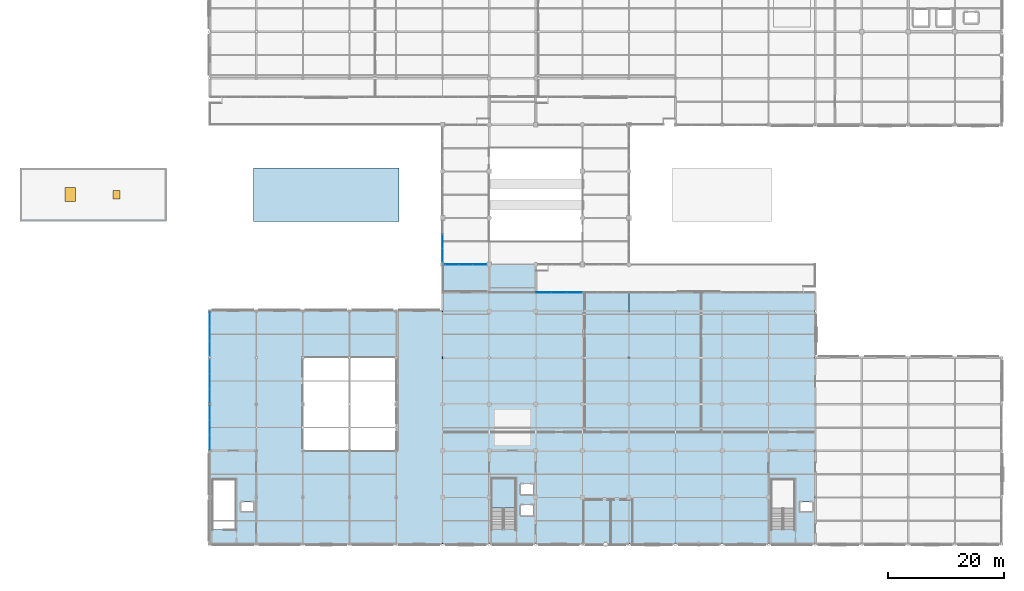
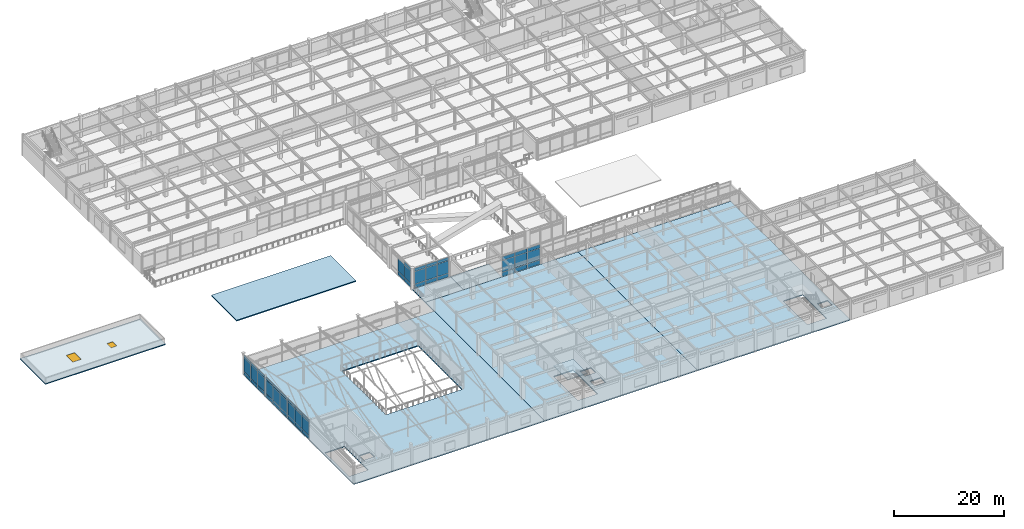
# One storey, part 83 of 117: 50 plates, 8 slabs, 2 windows, 2 openings, 7 elements without a shape of their own.
"""IFC4 building model written with IfcOpenShell, lengths in metres."""

from ifc_helpers import new_model, si_unit, direction, frame, origin, origin_2d, place, context, subcontext, project, spatial, polyline, rectangle, outline, extrude, material, layer, layer_set, type_object, element, fill, aggregate, save


model = new_model("IFC4")

# Units and contexts
model_context = context("Model", 3, precision=1e-05, world=origin(), true_north=direction((0.0, 1.0)))
body_context = subcontext(model_context, "Body", "Model", "MODEL_VIEW")
ifc_project = project(units=[si_unit("LENGTHUNIT", "METRE"), si_unit("AREAUNIT", "SQUARE_METRE"), si_unit("VOLUMEUNIT", "CUBIC_METRE"), si_unit("PLANEANGLEUNIT", "RADIAN"), si_unit("MASSUNIT", "GRAM", prefix="KILO")], contexts=[model_context])

# Site, building, storey
site_placement = place(None, origin())
site = spatial("IfcSite", under=ifc_project, at=site_placement, CompositionType="ELEMENT")
building_placement = place(site_placement, origin())
building = spatial("IfcBuilding", under=site, at=building_placement, Name="Solmirada Galleria", CompositionType="ELEMENT")
storey_placement = place(building_placement, frame((0.0, 0.0, 5.60009765625)))
storey = spatial("IfcBuildingStorey", under=building, at=storey_placement, Name="L01", CompositionType="ELEMENT", Elevation=5.60009765625)

# Curtain wall, plates
ifc_material_1 = material(Name="Impact-resistant low-E double glazing", Category="glass")
curtain_wall_type_1 = type_object("IfcCurtainWallType", Name="CW-FZ3-L01-B3-L072", PredefinedType="NOTDEFINED", material=ifc_material_1)
curtain_wall_1_placement = place(storey_placement, origin())
curtain_wall_1 = element("IfcCurtainWall", 1, at=curtain_wall_1_placement, inside=storey, type_object=curtain_wall_type_1, Name="Terrace and arcade storefront CW-L01-043", PredefinedType="NOTDEFINED")
ifc_layer_1 = layer(ifc_material_1, 0.035888671875)
ifc_layer_set_1 = layer_set([ifc_layer_1], Name="Impact-resistant low-E double glazing")
plate_type_1 = type_object("IfcPlateType", Name="CW-PNL-CW12-T36", PredefinedType="CURTAIN_PANEL", material=ifc_layer_set_1)
plate_1_placement = place(storey_placement, frame((86.38232421875, 48.0, 0.06494140625), z_axis=(0.0, 0.0, 1.0), x_axis=(-1.0, 0.0, 0.0)))
plate_1 = element("IfcPlate", 2, at=plate_1_placement, type_object=plate_type_1, Name="CW12 panel 1.1", PredefinedType="CURTAIN_PANEL", context=body_context, shape_type="SweptSolid", body=[
    extrude(rectangle(XDim=2.30126953125, YDim=0.035888671875, at=origin_2d()), origin(), (0.0, 0.0, 1.0), 0.802490234375),
])
plate_2_placement = place(storey_placement, frame((86.38232421875, 48.0, 0.9326171875), z_axis=(0.0, 0.0, 1.0), x_axis=(-1.0, 0.0, 0.0)))
plate_2 = element("IfcPlate", 3, at=plate_2_placement, type_object=plate_type_1, Name="CW12 panel 1.2", PredefinedType="CURTAIN_PANEL", context=body_context, shape_type="SweptSolid", body=[
    extrude(rectangle(XDim=2.30126953125, YDim=0.035888671875, at=origin_2d()), origin(), (0.0, 0.0, 1.0), 2.764892578125),
])
plate_3_placement = place(storey_placement, frame((86.38232421875, 48.0, 3.762451171875), z_axis=(0.0, 0.0, 1.0), x_axis=(-1.0, 0.0, 0.0)))
plate_3 = element("IfcPlate", 4, at=plate_3_placement, type_object=plate_type_1, Name="CW12 panel 1.3", PredefinedType="CURTAIN_PANEL", context=body_context, shape_type="SweptSolid", body=[
    extrude(rectangle(XDim=2.30126953125, YDim=0.035888671875, at=origin_2d()), origin(), (0.0, 0.0, 1.0), 0.6923828125),
])
plate_4_placement = place(storey_placement, frame((84.0, 48.0, 0.06494140625), z_axis=(0.0, 0.0, 1.0), x_axis=(-1.0, 0.0, 0.0)))
plate_4 = element("IfcPlate", 5, at=plate_4_placement, type_object=plate_type_1, Name="CW12 panel 2.1", PredefinedType="CURTAIN_PANEL", context=body_context, shape_type="SweptSolid", body=[
    extrude(rectangle(XDim=2.333740234375, YDim=0.035888671875, at=origin_2d()), origin(), (0.0, 0.0, 1.0), 0.802490234375),
])
plate_5_placement = place(storey_placement, frame((84.0, 48.0, 0.9326171875), z_axis=(0.0, 0.0, 1.0), x_axis=(-1.0, 0.0, 0.0)))
plate_5 = element("IfcPlate", 6, at=plate_5_placement, type_object=plate_type_1, Name="CW12 panel 2.2", PredefinedType="CURTAIN_PANEL", context=body_context, shape_type="SweptSolid", body=[
    extrude(rectangle(XDim=2.333740234375, YDim=0.035888671875, at=origin_2d()), origin(), (0.0, 0.0, 1.0), 2.764892578125),
])
plate_6_placement = place(storey_placement, frame((84.0, 48.0, 3.762451171875), z_axis=(0.0, 0.0, 1.0), x_axis=(-1.0, 0.0, 0.0)))
plate_6 = element("IfcPlate", 7, at=plate_6_placement, type_object=plate_type_1, Name="CW12 panel 2.3", PredefinedType="CURTAIN_PANEL", context=body_context, shape_type="SweptSolid", body=[
    extrude(rectangle(XDim=2.333740234375, YDim=0.035888671875, at=origin_2d()), origin(), (0.0, 0.0, 1.0), 0.6923828125),
])
plate_7_placement = place(storey_placement, frame((81.61767578125, 48.0, 0.06494140625), z_axis=(0.0, 0.0, 1.0), x_axis=(-1.0, 0.0, 0.0)))
plate_7 = element("IfcPlate", 8, at=plate_7_placement, type_object=plate_type_1, Name="CW12 panel 3.1", PredefinedType="CURTAIN_PANEL", context=body_context, shape_type="SweptSolid", body=[
    extrude(rectangle(XDim=2.30126953125, YDim=0.035888671875, at=origin_2d()), origin(), (0.0, 0.0, 1.0), 0.802490234375),
])
plate_8_placement = place(storey_placement, frame((81.61767578125, 48.0, 0.9326171875), z_axis=(0.0, 0.0, 1.0), x_axis=(-1.0, 0.0, 0.0)))
plate_8 = element("IfcPlate", 9, at=plate_8_placement, type_object=plate_type_1, Name="CW12 panel 3.2", PredefinedType="CURTAIN_PANEL", context=body_context, shape_type="SweptSolid", body=[
    extrude(rectangle(XDim=2.30126953125, YDim=0.035888671875, at=origin_2d()), origin(), (0.0, 0.0, 1.0), 2.764892578125),
])
plate_9_placement = place(storey_placement, frame((81.61767578125, 48.0, 3.762451171875), z_axis=(0.0, 0.0, 1.0), x_axis=(-1.0, 0.0, 0.0)))
plate_9 = element("IfcPlate", 10, at=plate_9_placement, type_object=plate_type_1, Name="CW12 panel 3.3", PredefinedType="CURTAIN_PANEL", context=body_context, shape_type="SweptSolid", body=[
    extrude(rectangle(XDim=2.30126953125, YDim=0.035888671875, at=origin_2d()), origin(), (0.0, 0.0, 1.0), 0.6923828125),
])
aggregate(curtain_wall_1, [plate_1, plate_2, plate_3, plate_4, plate_5, plate_6, plate_7, plate_8, plate_9])

curtain_wall_2_placement = place(storey_placement, origin())
curtain_wall_2 = element("IfcCurtainWall", 11, at=curtain_wall_2_placement, inside=storey, type_object=curtain_wall_type_1, Name="Terrace and arcade storefront CW-L01-044", PredefinedType="NOTDEFINED")
plate_10_placement = place(storey_placement, frame((80.0, 49.61767578125, 0.06494140625), z_axis=(0.0, 0.0, 1.0), x_axis=(0.0, 1.0, 0.0)))
plate_10 = element("IfcPlate", 12, at=plate_10_placement, type_object=plate_type_1, Name="CW12 panel 1.1", PredefinedType="CURTAIN_PANEL", context=body_context, shape_type="SweptSolid", body=[
    extrude(rectangle(XDim=2.30126953125, YDim=0.035888671875, at=origin_2d()), origin(), (0.0, 0.0, 1.0), 0.802490234375),
])
plate_11_placement = place(storey_placement, frame((80.0, 49.61767578125, 0.9326171875), z_axis=(0.0, 0.0, 1.0), x_axis=(0.0, 1.0, 0.0)))
plate_11 = element("IfcPlate", 13, at=plate_11_placement, type_object=plate_type_1, Name="CW12 panel 1.2", PredefinedType="CURTAIN_PANEL", context=body_context, shape_type="SweptSolid", body=[
    extrude(rectangle(XDim=2.30126953125, YDim=0.035888671875, at=origin_2d()), origin(), (0.0, 0.0, 1.0), 2.764892578125),
])
plate_12_placement = place(storey_placement, frame((80.0, 49.61767578125, 3.762451171875), z_axis=(0.0, 0.0, 1.0), x_axis=(0.0, 1.0, 0.0)))
plate_12 = element("IfcPlate", 14, at=plate_12_placement, type_object=plate_type_1, Name="CW12 panel 1.3", PredefinedType="CURTAIN_PANEL", context=body_context, shape_type="SweptSolid", body=[
    extrude(rectangle(XDim=2.30126953125, YDim=0.035888671875, at=origin_2d()), origin(), (0.0, 0.0, 1.0), 0.6923828125),
])
plate_13_placement = place(storey_placement, frame((80.0, 52.0, 0.06494140625), z_axis=(0.0, 0.0, 1.0), x_axis=(0.0, 1.0, 0.0)))
plate_13 = element("IfcPlate", 15, at=plate_13_placement, type_object=plate_type_1, Name="CW12 panel 2.1", PredefinedType="CURTAIN_PANEL", context=body_context, shape_type="SweptSolid", body=[
    extrude(rectangle(XDim=2.333740234375, YDim=0.035888671875, at=origin_2d()), origin(), (0.0, 0.0, 1.0), 0.802490234375),
])
plate_14_placement = place(storey_placement, frame((80.0, 52.0, 0.9326171875), z_axis=(0.0, 0.0, 1.0), x_axis=(0.0, 1.0, 0.0)))
plate_14 = element("IfcPlate", 16, at=plate_14_placement, type_object=plate_type_1, Name="CW12 panel 2.2", PredefinedType="CURTAIN_PANEL", context=body_context, shape_type="SweptSolid", body=[
    extrude(rectangle(XDim=2.333740234375, YDim=0.035888671875, at=origin_2d()), origin(), (0.0, 0.0, 1.0), 2.764892578125),
])
aggregate(curtain_wall_2, [plate_10, plate_11, plate_12, plate_13, plate_14])

curtain_wall_type_2 = type_object("IfcCurtainWallType", Name="CW-FZ5-L01-B3-L080", PredefinedType="NOTDEFINED", material=ifc_material_1)
curtain_wall_3_placement = place(storey_placement, origin())
curtain_wall_3 = element("IfcCurtainWall", 17, at=curtain_wall_3_placement, inside=storey, type_object=curtain_wall_type_2, Name="Terrace and arcade storefront CW-L01-073", PredefinedType="NOTDEFINED")
ifc_layer_2 = layer(ifc_material_1, 0.031982421875)
ifc_layer_set_2 = layer_set([ifc_layer_2], Name="Impact-resistant low-E double glazing")
plate_type_2 = type_object("IfcPlateType", Name="CW-PNL-CW17-T32", PredefinedType="CURTAIN_PANEL", material=ifc_layer_set_2)
plate_15_placement = place(storey_placement, frame((97.349609375, 43.199951171875, 0.06494140625), z_axis=(0.0, 0.0, 1.0), x_axis=(1.0, 0.0, 0.0)))
plate_15 = element("IfcPlate", 18, at=plate_15_placement, type_object=plate_type_2, Name="CW17 panel 1.1", PredefinedType="CURTAIN_PANEL", context=body_context, shape_type="SweptSolid", body=[
    extrude(rectangle(XDim=2.569091796875, YDim=0.031982421875, at=origin_2d()), origin(), (0.0, 0.0, 1.0), 0.922607421875),
])
plate_16_placement = place(storey_placement, frame((97.349609375, 43.199951171875, 1.052490234375), z_axis=(0.0, 0.0, 1.0), x_axis=(1.0, 0.0, 0.0)))
plate_16 = element("IfcPlate", 19, at=plate_16_placement, type_object=plate_type_2, Name="CW17 panel 1.2", PredefinedType="CURTAIN_PANEL", context=body_context, shape_type="SweptSolid", body=[
    extrude(rectangle(XDim=2.569091796875, YDim=0.031982421875, at=origin_2d()), origin(), (0.0, 0.0, 1.0), 2.544921875),
])
plate_17_placement = place(storey_placement, frame((97.349609375, 43.199951171875, 3.662353515625), z_axis=(0.0, 0.0, 1.0), x_axis=(1.0, 0.0, 0.0)))
plate_17 = element("IfcPlate", 20, at=plate_17_placement, type_object=plate_type_2, Name="CW17 panel 1.3", PredefinedType="CURTAIN_PANEL", context=body_context, shape_type="SweptSolid", body=[
    extrude(rectangle(XDim=2.569091796875, YDim=0.031982421875, at=origin_2d()), origin(), (0.0, 0.0, 1.0), 0.79248046875),
])
plate_18_placement = place(storey_placement, frame((100.0, 43.199951171875, 0.06494140625), z_axis=(0.0, 0.0, 1.0), x_axis=(1.0, 0.0, 0.0)))
plate_18 = element("IfcPlate", 21, at=plate_18_placement, type_object=plate_type_2, Name="CW17 panel 2.1", PredefinedType="CURTAIN_PANEL", context=body_context, shape_type="SweptSolid", body=[
    extrude(rectangle(XDim=2.6015625, YDim=0.031982421875, at=origin_2d()), origin(), (0.0, 0.0, 1.0), 0.922607421875),
])
plate_19_placement = place(storey_placement, frame((100.0, 43.199951171875, 1.052490234375), z_axis=(0.0, 0.0, 1.0), x_axis=(1.0, 0.0, 0.0)))
plate_19 = element("IfcPlate", 22, at=plate_19_placement, type_object=plate_type_2, Name="CW17 panel 2.2", PredefinedType="CURTAIN_PANEL", context=body_context, shape_type="SweptSolid", body=[
    extrude(rectangle(XDim=2.6015625, YDim=0.031982421875, at=origin_2d()), origin(), (0.0, 0.0, 1.0), 2.544921875),
])
plate_20_placement = place(storey_placement, frame((100.0, 43.199951171875, 3.662353515625), z_axis=(0.0, 0.0, 1.0), x_axis=(1.0, 0.0, 0.0)))
plate_20 = element("IfcPlate", 23, at=plate_20_placement, type_object=plate_type_2, Name="CW17 panel 2.3", PredefinedType="CURTAIN_PANEL", context=body_context, shape_type="SweptSolid", body=[
    extrude(rectangle(XDim=2.6015625, YDim=0.031982421875, at=origin_2d()), origin(), (0.0, 0.0, 1.0), 0.79248046875),
])
plate_21_placement = place(storey_placement, frame((102.650390625, 43.199951171875, 0.06494140625), z_axis=(0.0, 0.0, 1.0), x_axis=(1.0, 0.0, 0.0)))
plate_21 = element("IfcPlate", 24, at=plate_21_placement, type_object=plate_type_2, Name="CW17 panel 3.1", PredefinedType="CURTAIN_PANEL", context=body_context, shape_type="SweptSolid", body=[
    extrude(rectangle(XDim=2.569091796875, YDim=0.031982421875, at=origin_2d()), origin(), (0.0, 0.0, 1.0), 0.922607421875),
])
plate_22_placement = place(storey_placement, frame((102.650390625, 43.199951171875, 1.052490234375), z_axis=(0.0, 0.0, 1.0), x_axis=(1.0, 0.0, 0.0)))
plate_22 = element("IfcPlate", 25, at=plate_22_placement, type_object=plate_type_2, Name="CW17 panel 3.2", PredefinedType="CURTAIN_PANEL", context=body_context, shape_type="SweptSolid", body=[
    extrude(rectangle(XDim=2.569091796875, YDim=0.031982421875, at=origin_2d()), origin(), (0.0, 0.0, 1.0), 2.544921875),
])
plate_23_placement = place(storey_placement, frame((102.650390625, 43.199951171875, 3.662353515625), z_axis=(0.0, 0.0, 1.0), x_axis=(1.0, 0.0, 0.0)))
plate_23 = element("IfcPlate", 26, at=plate_23_placement, type_object=plate_type_2, Name="CW17 panel 3.3", PredefinedType="CURTAIN_PANEL", context=body_context, shape_type="SweptSolid", body=[
    extrude(rectangle(XDim=2.569091796875, YDim=0.031982421875, at=origin_2d()), origin(), (0.0, 0.0, 1.0), 0.79248046875),
])
aggregate(curtain_wall_3, [plate_15, plate_16, plate_17, plate_18, plate_19, plate_20, plate_21, plate_22, plate_23])

curtain_wall_type_3 = type_object("IfcCurtainWallType", Name="CW-FZ1-L01-B3-L077", PredefinedType="NOTDEFINED", material=ifc_material_1)
curtain_wall_4_placement = place(storey_placement, origin())
curtain_wall_4 = element("IfcCurtainWall", 27, at=curtain_wall_4_placement, inside=storey, type_object=curtain_wall_type_3, Name="Terrace and arcade storefront CW-L01-080", PredefinedType="NOTDEFINED")
ifc_layer_3 = layer(ifc_material_1, 0.0419921875)
ifc_layer_set_3 = layer_set([ifc_layer_3], Name="Impact-resistant low-E double glazing")
plate_type_3 = type_object("IfcPlateType", Name="CW-PNL-CW19-T42", PredefinedType="CURTAIN_PANEL", material=ifc_layer_set_3)
plate_24_placement = place(storey_placement, frame((40.0, 17.45263671875, 0.06494140625), z_axis=(0.0, 0.0, 1.0), x_axis=(0.0, 1.0, 0.0)))
plate_24 = element("IfcPlate", 28, at=plate_24_placement, type_object=plate_type_3, Name="CW19 panel 1.1", PredefinedType="CURTAIN_PANEL", context=body_context, shape_type="SweptSolid", body=[
    extrude(rectangle(XDim=2.466064453125, YDim=0.0419921875, at=origin_2d()), origin(), (0.0, 0.0, 1.0), 0.6826171875),
])
plate_25_placement = place(storey_placement, frame((40.0, 17.45263671875, 0.8125), z_axis=(0.0, 0.0, 1.0), x_axis=(0.0, 1.0, 0.0)))
plate_25 = element("IfcPlate", 29, at=plate_25_placement, type_object=plate_type_3, Name="CW19 panel 1.2", PredefinedType="CURTAIN_PANEL", context=body_context, shape_type="SweptSolid", body=[
    extrude(rectangle(XDim=2.466064453125, YDim=0.0419921875, at=origin_2d()), origin(), (0.0, 0.0, 1.0), 2.985107421875),
])
plate_26_placement = place(storey_placement, frame((40.0, 17.45263671875, 3.8623046875), z_axis=(0.0, 0.0, 1.0), x_axis=(0.0, 1.0, 0.0)))
plate_26 = element("IfcPlate", 30, at=plate_26_placement, type_object=plate_type_3, Name="CW19 panel 1.3", PredefinedType="CURTAIN_PANEL", context=body_context, shape_type="SweptSolid", body=[
    extrude(rectangle(XDim=2.466064453125, YDim=0.0419921875, at=origin_2d()), origin(), (0.0, 0.0, 1.0), 0.592529296875),
])
plate_27_placement = place(storey_placement, frame((40.0, 20.0, 0.06494140625), z_axis=(0.0, 0.0, 1.0), x_axis=(0.0, 1.0, 0.0)))
plate_27 = element("IfcPlate", 31, at=plate_27_placement, type_object=plate_type_3, Name="CW19 panel 2.1", PredefinedType="CURTAIN_PANEL", context=body_context, shape_type="SweptSolid", body=[
    extrude(rectangle(XDim=2.498779296875, YDim=0.0419921875, at=origin_2d()), origin(), (0.0, 0.0, 1.0), 0.6826171875),
])
plate_28_placement = place(storey_placement, frame((40.0, 20.0, 0.8125), z_axis=(0.0, 0.0, 1.0), x_axis=(0.0, 1.0, 0.0)))
plate_28 = element("IfcPlate", 32, at=plate_28_placement, type_object=plate_type_3, Name="CW19 panel 2.2", PredefinedType="CURTAIN_PANEL", context=body_context, shape_type="SweptSolid", body=[
    extrude(rectangle(XDim=2.498779296875, YDim=0.0419921875, at=origin_2d()), origin(), (0.0, 0.0, 1.0), 2.985107421875),
])
plate_29_placement = place(storey_placement, frame((40.0, 20.0, 3.8623046875), z_axis=(0.0, 0.0, 1.0), x_axis=(0.0, 1.0, 0.0)))
plate_29 = element("IfcPlate", 33, at=plate_29_placement, type_object=plate_type_3, Name="CW19 panel 2.3", PredefinedType="CURTAIN_PANEL", context=body_context, shape_type="SweptSolid", body=[
    extrude(rectangle(XDim=2.498779296875, YDim=0.0419921875, at=origin_2d()), origin(), (0.0, 0.0, 1.0), 0.592529296875),
])
plate_30_placement = place(storey_placement, frame((40.0, 22.54736328125, 0.06494140625), z_axis=(0.0, 0.0, 1.0), x_axis=(0.0, 1.0, 0.0)))
plate_30 = element("IfcPlate", 34, at=plate_30_placement, type_object=plate_type_3, Name="CW19 panel 3.1", PredefinedType="CURTAIN_PANEL", context=body_context, shape_type="SweptSolid", body=[
    extrude(rectangle(XDim=2.466064453125, YDim=0.0419921875, at=origin_2d()), origin(), (0.0, 0.0, 1.0), 0.6826171875),
])
plate_31_placement = place(storey_placement, frame((40.0, 22.54736328125, 0.8125), z_axis=(0.0, 0.0, 1.0), x_axis=(0.0, 1.0, 0.0)))
plate_31 = element("IfcPlate", 35, at=plate_31_placement, type_object=plate_type_3, Name="CW19 panel 3.2", PredefinedType="CURTAIN_PANEL", context=body_context, shape_type="SweptSolid", body=[
    extrude(rectangle(XDim=2.466064453125, YDim=0.0419921875, at=origin_2d()), origin(), (0.0, 0.0, 1.0), 2.985107421875),
])
plate_32_placement = place(storey_placement, frame((40.0, 22.54736328125, 3.8623046875), z_axis=(0.0, 0.0, 1.0), x_axis=(0.0, 1.0, 0.0)))
plate_32 = element("IfcPlate", 36, at=plate_32_placement, type_object=plate_type_3, Name="CW19 panel 3.3", PredefinedType="CURTAIN_PANEL", context=body_context, shape_type="SweptSolid", body=[
    extrude(rectangle(XDim=2.466064453125, YDim=0.0419921875, at=origin_2d()), origin(), (0.0, 0.0, 1.0), 0.592529296875),
])
aggregate(curtain_wall_4, [plate_24, plate_25, plate_26, plate_27, plate_28, plate_29, plate_30, plate_31, plate_32])

curtain_wall_type_4 = type_object("IfcCurtainWallType", Name="CW-FZ1-L01-B3-L076", PredefinedType="NOTDEFINED", material=ifc_material_1)
curtain_wall_5_placement = place(storey_placement, origin())
curtain_wall_5 = element("IfcCurtainWall", 37, at=curtain_wall_5_placement, inside=storey, type_object=curtain_wall_type_4, Name="Terrace and arcade storefront CW-L01-081", PredefinedType="NOTDEFINED")
ifc_layer_4 = layer(ifc_material_1, 0.048095703125)
ifc_layer_set_4 = layer_set([ifc_layer_4], Name="Impact-resistant low-E double glazing")
plate_type_4 = type_object("IfcPlateType", Name="CW-PNL-CW20-T48", PredefinedType="CURTAIN_PANEL", material=ifc_layer_set_4)
plate_33_placement = place(storey_placement, frame((40.0, 25.435546875, 0.06494140625), z_axis=(0.0, 0.0, 1.0), x_axis=(0.0, 1.0, 0.0)))
plate_33 = element("IfcPlate", 38, at=plate_33_placement, type_object=plate_type_4, Name="CW20 panel 1.1", PredefinedType="CURTAIN_PANEL", context=body_context, shape_type="SweptSolid", body=[
    extrude(rectangle(XDim=2.432373046875, YDim=0.048095703125, at=origin_2d()), origin(), (0.0, 0.0, 1.0), 0.6826171875),
])
plate_34_placement = place(storey_placement, frame((40.0, 25.435546875, 0.8125), z_axis=(0.0, 0.0, 1.0), x_axis=(0.0, 1.0, 0.0)))
plate_34 = element("IfcPlate", 39, at=plate_34_placement, type_object=plate_type_4, Name="CW20 panel 1.2", PredefinedType="CURTAIN_PANEL", context=body_context, shape_type="SweptSolid", body=[
    extrude(rectangle(XDim=2.432373046875, YDim=0.048095703125, at=origin_2d()), origin(), (0.0, 0.0, 1.0), 2.985107421875),
])
plate_35_placement = place(storey_placement, frame((40.0, 25.435546875, 3.8623046875), z_axis=(0.0, 0.0, 1.0), x_axis=(0.0, 1.0, 0.0)))
plate_35 = element("IfcPlate", 40, at=plate_35_placement, type_object=plate_type_4, Name="CW20 panel 1.3", PredefinedType="CURTAIN_PANEL", context=body_context, shape_type="SweptSolid", body=[
    extrude(rectangle(XDim=2.432373046875, YDim=0.048095703125, at=origin_2d()), origin(), (0.0, 0.0, 1.0), 0.592529296875),
])
plate_36_placement = place(storey_placement, frame((40.0, 27.94921875, 0.06494140625), z_axis=(0.0, 0.0, 1.0), x_axis=(0.0, 1.0, 0.0)))
plate_36 = element("IfcPlate", 41, at=plate_36_placement, type_object=plate_type_4, Name="CW20 panel 2.1", PredefinedType="CURTAIN_PANEL", context=body_context, shape_type="SweptSolid", body=[
    extrude(rectangle(XDim=2.46484375, YDim=0.048095703125, at=origin_2d()), origin(), (0.0, 0.0, 1.0), 0.6826171875),
])
plate_37_placement = place(storey_placement, frame((40.0, 27.94921875, 0.8125), z_axis=(0.0, 0.0, 1.0), x_axis=(0.0, 1.0, 0.0)))
plate_37 = element("IfcPlate", 42, at=plate_37_placement, type_object=plate_type_4, Name="CW20 panel 2.2", PredefinedType="CURTAIN_PANEL", context=body_context, shape_type="SweptSolid", body=[
    extrude(rectangle(XDim=2.46484375, YDim=0.048095703125, at=origin_2d()), origin(), (0.0, 0.0, 1.0), 2.985107421875),
])
plate_38_placement = place(storey_placement, frame((40.0, 27.94921875, 3.8623046875), z_axis=(0.0, 0.0, 1.0), x_axis=(0.0, 1.0, 0.0)))
plate_38 = element("IfcPlate", 43, at=plate_38_placement, type_object=plate_type_4, Name="CW20 panel 2.3", PredefinedType="CURTAIN_PANEL", context=body_context, shape_type="SweptSolid", body=[
    extrude(rectangle(XDim=2.46484375, YDim=0.048095703125, at=origin_2d()), origin(), (0.0, 0.0, 1.0), 0.592529296875),
])
plate_39_placement = place(storey_placement, frame((40.0, 30.462890625, 0.06494140625), z_axis=(0.0, 0.0, 1.0), x_axis=(0.0, 1.0, 0.0)))
plate_39 = element("IfcPlate", 44, at=plate_39_placement, type_object=plate_type_4, Name="CW20 panel 3.1", PredefinedType="CURTAIN_PANEL", context=body_context, shape_type="SweptSolid", body=[
    extrude(rectangle(XDim=2.432373046875, YDim=0.048095703125, at=origin_2d()), origin(), (0.0, 0.0, 1.0), 0.6826171875),
])
plate_40_placement = place(storey_placement, frame((40.0, 30.462890625, 0.8125), z_axis=(0.0, 0.0, 1.0), x_axis=(0.0, 1.0, 0.0)))
plate_40 = element("IfcPlate", 45, at=plate_40_placement, type_object=plate_type_4, Name="CW20 panel 3.2", PredefinedType="CURTAIN_PANEL", context=body_context, shape_type="SweptSolid", body=[
    extrude(rectangle(XDim=2.432373046875, YDim=0.048095703125, at=origin_2d()), origin(), (0.0, 0.0, 1.0), 2.985107421875),
])
plate_41_placement = place(storey_placement, frame((40.0, 30.462890625, 3.8623046875), z_axis=(0.0, 0.0, 1.0), x_axis=(0.0, 1.0, 0.0)))
plate_41 = element("IfcPlate", 46, at=plate_41_placement, type_object=plate_type_4, Name="CW20 panel 3.3", PredefinedType="CURTAIN_PANEL", context=body_context, shape_type="SweptSolid", body=[
    extrude(rectangle(XDim=2.432373046875, YDim=0.048095703125, at=origin_2d()), origin(), (0.0, 0.0, 1.0), 0.592529296875),
])
aggregate(curtain_wall_5, [plate_33, plate_34, plate_35, plate_36, plate_37, plate_38, plate_39, plate_40, plate_41])

curtain_wall_6_placement = place(storey_placement, origin())
curtain_wall_6 = element("IfcCurtainWall", 47, at=curtain_wall_6_placement, inside=storey, type_object=curtain_wall_type_4, Name="Terrace and arcade storefront CW-L01-082", PredefinedType="NOTDEFINED")
plate_42_placement = place(storey_placement, frame((40.0, 33.537109375, 0.06494140625), z_axis=(0.0, 0.0, 1.0), x_axis=(0.0, 1.0, 0.0)))
plate_42 = element("IfcPlate", 48, at=plate_42_placement, type_object=plate_type_4, Name="CW20 panel 1.1", PredefinedType="CURTAIN_PANEL", context=body_context, shape_type="SweptSolid", body=[
    extrude(rectangle(XDim=2.432373046875, YDim=0.048095703125, at=origin_2d()), origin(), (0.0, 0.0, 1.0), 0.6826171875),
])
plate_43_placement = place(storey_placement, frame((40.0, 33.537109375, 0.8125), z_axis=(0.0, 0.0, 1.0), x_axis=(0.0, 1.0, 0.0)))
plate_43 = element("IfcPlate", 49, at=plate_43_placement, type_object=plate_type_4, Name="CW20 panel 1.2", PredefinedType="CURTAIN_PANEL", context=body_context, shape_type="SweptSolid", body=[
    extrude(rectangle(XDim=2.432373046875, YDim=0.048095703125, at=origin_2d()), origin(), (0.0, 0.0, 1.0), 2.985107421875),
])
plate_44_placement = place(storey_placement, frame((40.0, 33.537109375, 3.8623046875), z_axis=(0.0, 0.0, 1.0), x_axis=(0.0, 1.0, 0.0)))
plate_44 = element("IfcPlate", 50, at=plate_44_placement, type_object=plate_type_4, Name="CW20 panel 1.3", PredefinedType="CURTAIN_PANEL", context=body_context, shape_type="SweptSolid", body=[
    extrude(rectangle(XDim=2.432373046875, YDim=0.048095703125, at=origin_2d()), origin(), (0.0, 0.0, 1.0), 0.592529296875),
])
plate_45_placement = place(storey_placement, frame((40.0, 36.05078125, 0.06494140625), z_axis=(0.0, 0.0, 1.0), x_axis=(0.0, 1.0, 0.0)))
plate_45 = element("IfcPlate", 51, at=plate_45_placement, type_object=plate_type_4, Name="CW20 panel 2.1", PredefinedType="CURTAIN_PANEL", context=body_context, shape_type="SweptSolid", body=[
    extrude(rectangle(XDim=2.46484375, YDim=0.048095703125, at=origin_2d()), origin(), (0.0, 0.0, 1.0), 0.6826171875),
])
plate_46_placement = place(storey_placement, frame((40.0, 36.05078125, 0.8125), z_axis=(0.0, 0.0, 1.0), x_axis=(0.0, 1.0, 0.0)))
plate_46 = element("IfcPlate", 52, at=plate_46_placement, type_object=plate_type_4, Name="CW20 panel 2.2", PredefinedType="CURTAIN_PANEL", context=body_context, shape_type="SweptSolid", body=[
    extrude(rectangle(XDim=2.46484375, YDim=0.048095703125, at=origin_2d()), origin(), (0.0, 0.0, 1.0), 2.985107421875),
])
plate_47_placement = place(storey_placement, frame((40.0, 36.05078125, 3.8623046875), z_axis=(0.0, 0.0, 1.0), x_axis=(0.0, 1.0, 0.0)))
plate_47 = element("IfcPlate", 53, at=plate_47_placement, type_object=plate_type_4, Name="CW20 panel 2.3", PredefinedType="CURTAIN_PANEL", context=body_context, shape_type="SweptSolid", body=[
    extrude(rectangle(XDim=2.46484375, YDim=0.048095703125, at=origin_2d()), origin(), (0.0, 0.0, 1.0), 0.592529296875),
])
plate_48_placement = place(storey_placement, frame((40.0, 38.564453125, 0.06494140625), z_axis=(0.0, 0.0, 1.0), x_axis=(0.0, 1.0, 0.0)))
plate_48 = element("IfcPlate", 54, at=plate_48_placement, type_object=plate_type_4, Name="CW20 panel 3.1", PredefinedType="CURTAIN_PANEL", context=body_context, shape_type="SweptSolid", body=[
    extrude(rectangle(XDim=2.432373046875, YDim=0.048095703125, at=origin_2d()), origin(), (0.0, 0.0, 1.0), 0.6826171875),
])
plate_49_placement = place(storey_placement, frame((40.0, 38.564453125, 0.8125), z_axis=(0.0, 0.0, 1.0), x_axis=(0.0, 1.0, 0.0)))
plate_49 = element("IfcPlate", 55, at=plate_49_placement, type_object=plate_type_4, Name="CW20 panel 3.2", PredefinedType="CURTAIN_PANEL", context=body_context, shape_type="SweptSolid", body=[
    extrude(rectangle(XDim=2.432373046875, YDim=0.048095703125, at=origin_2d()), origin(), (0.0, 0.0, 1.0), 2.985107421875),
])
plate_50_placement = place(storey_placement, frame((40.0, 38.564453125, 3.8623046875), z_axis=(0.0, 0.0, 1.0), x_axis=(0.0, 1.0, 0.0)))
plate_50 = element("IfcPlate", 56, at=plate_50_placement, type_object=plate_type_4, Name="CW20 panel 3.3", PredefinedType="CURTAIN_PANEL", context=body_context, shape_type="SweptSolid", body=[
    extrude(rectangle(XDim=2.432373046875, YDim=0.048095703125, at=origin_2d()), origin(), (0.0, 0.0, 1.0), 0.592529296875),
])
aggregate(curtain_wall_6, [plate_42, plate_43, plate_44, plate_45, plate_46, plate_47, plate_48, plate_49, plate_50])

# Slabs
ifc_material_2 = material(Name="Concrete C35/45", Category="concrete")
ifc_layer_5 = layer(ifc_material_2, 0.219970703125)
ifc_layer_set_5 = layer_set([ifc_layer_5], Name="Concrete C35/45")
slab_type_1 = type_object("IfcSlabType", Name="SLB-FLOOR-220", PredefinedType="FLOOR", material=ifc_layer_set_5)
slab_1_placement = place(storey_placement, frame((0.0, 0.0, -0.22021484375)))
element("IfcSlab", 57, at=slab_1_placement, inside=storey, type_object=slab_type_1, Name="Slab L01-SOUTH-W", PredefinedType="FLOOR", context=body_context, shape_type="SweptSolid", body=[
    extrude(outline(polyline([(80.0, 0.0), (112.0, 0.0), (112.0, 43.199951171875), (80.0, 43.199951171875), (80.0, 0.0)]), holes=[polyline([(88.39990234375, 2.5), (92.550048828125, 2.5), (92.550048828125, 11.300048828125), (88.39990234375, 11.300048828125), (88.39990234375, 2.5)]), polyline([(93.375, 4.89990234375), (95.625, 4.89990234375), (95.625, 6.699951171875), (93.375, 6.699951171875), (93.375, 4.89990234375)]), polyline([(93.375, 8.5), (95.625, 8.5), (95.625, 10.300048828125), (93.375, 10.300048828125), (93.375, 8.5)])]), origin(), (0.0, 0.0, 1.0), 0.22021484375),
])
slab_2_placement = place(storey_placement, frame((0.0, 0.0, -0.22021484375)))
element("IfcSlab", 58, at=slab_2_placement, inside=storey, type_object=slab_type_1, Name="Slab L01-SOUTH-E", PredefinedType="FLOOR", context=body_context, shape_type="SweptSolid", body=[
    extrude(outline(polyline([(112.0, 0.0), (144.0, 0.0), (144.0, 43.199951171875), (112.0, 43.199951171875), (112.0, 0.0)]), holes=[polyline([(136.449951171875, 2.449951171875), (140.5, 2.449951171875), (140.5, 11.10009765625), (136.449951171875, 11.10009765625), (136.449951171875, 2.449951171875)]), polyline([(141.375, 5.550048828125), (143.52490234375, 5.550048828125), (143.52490234375, 7.25), (141.375, 7.25), (141.375, 5.550048828125)])]), origin(), (0.0, 0.0, 1.0), 0.22021484375),
])
slab_3_placement = place(storey_placement, frame((0.0, 0.0, -0.22021484375)))
element("IfcSlab", 59, at=slab_3_placement, inside=storey, type_object=slab_type_1, Name="Slab L01-BRG-S", PredefinedType="FLOOR", context=body_context, shape_type="SweptSolid", body=[
    extrude(outline(polyline([(88.0, 43.199951171875), (96.0, 43.199951171875), (96.0, 48.0), (88.0, 48.0), (88.0, 43.199951171875)])), origin(), (0.0, 0.0, 1.0), 0.22021484375),
])
slab_4_placement = place(storey_placement, frame((0.0, 0.0, -0.22021484375)))
element("IfcSlab", 60, at=slab_4_placement, inside=storey, type_object=slab_type_1, Name="Slab L01-FOODHALL", PredefinedType="FLOOR", context=body_context, shape_type="SweptSolid", body=[
    extrude(outline(polyline([(40.0, 0.0), (80.0, 0.0), (80.0, 40.0), (40.0, 40.0), (40.0, 0.0)]), holes=[polyline([(56.0, 16.0), (72.0, 16.0), (72.0, 32.0), (56.0, 32.0), (56.0, 16.0)]), polyline([(40.449951171875, 2.449951171875), (44.5, 2.449951171875), (44.5, 11.10009765625), (40.449951171875, 11.10009765625), (40.449951171875, 2.449951171875)]), polyline([(45.375, 5.550048828125), (47.52490234375, 5.550048828125), (47.52490234375, 7.25), (45.375, 7.25), (45.375, 5.550048828125)])]), origin(), (0.0, 0.0, 1.0), 0.22021484375),
])

# Stair, slab
stair_type = type_object("IfcStairType", Name="STR-DOG-200-H48", PredefinedType="HALF_TURN_STAIR", material=ifc_material_2)
stair_placement = place(storey_placement, origin())
stair = element("IfcStair", 61, at=stair_placement, inside=storey, type_object=stair_type, Name="L01 South Sales Core Exit Stair ST2", PredefinedType="HALF_TURN_STAIR")
ifc_layer_6 = layer(ifc_material_2, 0.199951171875)
ifc_layer_set_6 = layer_set([ifc_layer_6], Name="Concrete C35/45")
slab_type_2 = type_object("IfcSlabType", Name="SLB-LAND-200", PredefinedType="LANDING", material=ifc_layer_set_6)
slab_5_placement = place(storey_placement, frame((0.0, 0.0, 2.199951171875)))
slab_5 = element("IfcSlab", 62, at=slab_5_placement, type_object=slab_type_2, Name="ST2 landing 1", PredefinedType="LANDING", context=body_context, shape_type="SweptSolid", body=[
    extrude(outline(polyline([(92.550048828125, 6.139892578125), (92.550048828125, 11.300048828125), (88.39990234375, 11.300048828125), (88.39990234375, 6.139892578125), (92.550048828125, 6.139892578125)])), origin(), (0.0, 0.0, 1.0), 0.199951171875),
])
aggregate(stair, [slab_5])

# Slab, openings, windows
ifc_layer_7 = layer(ifc_material_2, 0.219970703125)
ifc_layer_set_7 = layer_set([ifc_layer_7], Name="Concrete C35/45")
slab_type_3 = type_object("IfcSlabType", Name="SLB-ROOF-220", PredefinedType="ROOF", material=ifc_layer_set_7)
slab_6_placement = place(storey_placement, frame((0.0, 0.0, -0.22021484375)))
slab_6 = element("IfcSlab", 63, at=slab_6_placement, inside=storey, type_object=slab_type_3, Name="West Arcade Welcome Gallery roof slab", PredefinedType="ROOF", context=body_context, shape_type="SweptSolid", body=[
    extrude(outline(polyline([(7.39990234375, 55.39990234375), (32.60009765625, 55.39990234375), (32.60009765625, 64.60009765625), (7.39990234375, 64.60009765625), (7.39990234375, 55.39990234375)]), holes=[polyline([(15.10009765625, 58.800048828125), (16.89990234375, 58.800048828125), (16.89990234375, 61.199951171875), (15.10009765625, 61.199951171875), (15.10009765625, 58.800048828125)]), polyline([(23.39990234375, 59.25), (24.60009765625, 59.25), (24.60009765625, 60.75), (23.39990234375, 60.75), (23.39990234375, 59.25)])]), origin(), (0.0, 0.0, 1.0), 0.22021484375),
])
opening_1_placement = place(slab_6_placement, frame((16.0, 60.0, -0.010009765625)))
opening_1 = element("IfcOpeningElement", 64, at=opening_1_placement, cuts=slab_6, Name="Opening SKY3", PredefinedType="OPENING", context=body_context, shape_type="SweptSolid", body=[
    extrude(rectangle(XDim=1.800048828125, YDim=2.39990234375, at=origin_2d()), origin(), (0.0, 0.0, 1.0), 0.240234375),
])
opening_2_placement = place(slab_6_placement, frame((24.0, 60.0, -0.010009765625)))
opening_2 = element("IfcOpeningElement", 65, at=opening_2_placement, cuts=slab_6, Name="Opening SKY5", PredefinedType="OPENING", context=body_context, shape_type="SweptSolid", body=[
    extrude(rectangle(XDim=1.199951171875, YDim=1.5, at=origin_2d()), origin(), (0.0, 0.0, 1.0), 0.240234375),
])
window_type_1 = type_object("IfcWindowType", Name="SKY-HATCH-120X150", PartitioningType="SINGLE_PANEL", PredefinedType="SKYLIGHT", material=ifc_material_1)
window_1_placement = place(slab_6_placement, frame((24.0, 60.0, 0.170166015625)))
window_1 = element("IfcWindow", 66, at=window_1_placement, inside=storey, type_object=window_type_1, Name="Roof skylight / access hatch ROOF-WEST-PORTAL-02", OverallHeight=1.5, OverallWidth=1.199951171875, PartitioningType="SINGLE_PANEL", PredefinedType="SKYLIGHT", context=body_context, shape_type="SweptSolid", body=[
    extrude(rectangle(XDim=1.199951171875, YDim=1.5, at=origin_2d()), origin(), (0.0, 0.0, 1.0), 0.050048828125),
])
fill(opening_2, window_1)
window_type_2 = type_object("IfcWindowType", Name="SKY-ROOF-180X240", PartitioningType="SINGLE_PANEL", PredefinedType="SKYLIGHT", material=ifc_material_1)
window_2_placement = place(slab_6_placement, frame((16.0, 60.0, 0.170166015625)))
window_2 = element("IfcWindow", 67, at=window_2_placement, inside=storey, type_object=window_type_2, Name="Roof skylight / access hatch ROOF-WEST-PORTAL-01", OverallHeight=2.39990234375, OverallWidth=1.800048828125, PartitioningType="SINGLE_PANEL", PredefinedType="SKYLIGHT", context=body_context, shape_type="SweptSolid", body=[
    extrude(rectangle(XDim=1.800048828125, YDim=2.39990234375, at=origin_2d()), origin(), (0.0, 0.0, 1.0), 0.050048828125),
])
fill(opening_1, window_2)

# Slabs
slab_7_placement = place(storey_placement, frame((0.0, 0.0, -0.22021484375)))
element("IfcSlab", 68, at=slab_7_placement, inside=storey, type_object=slab_type_3, Name="Arcade boutique pavilion BW roof slab", PredefinedType="ROOF", context=body_context, shape_type="SweptSolid", body=[
    extrude(outline(polyline([(47.5, 55.39990234375), (72.5, 55.39990234375), (72.5, 64.60009765625), (47.5, 64.60009765625), (47.5, 55.39990234375)])), origin(), (0.0, 0.0, 1.0), 0.22021484375),
])
ifc_layer_8 = layer(ifc_material_2, 0.239990234375)
ifc_layer_set_8 = layer_set([ifc_layer_8], Name="Concrete C35/45")
slab_type_4 = type_object("IfcSlabType", Name="SLB-TERR-240", PredefinedType="FLOOR", material=ifc_layer_set_8)
slab_8_placement = place(storey_placement, frame((0.0, 0.0, -0.239990234375)))
element("IfcSlab", 69, at=slab_8_placement, inside=storey, type_object=slab_type_4, Name="Slab L01-TERR-SW", PredefinedType="FLOOR", context=body_context, shape_type="SweptSolid", body=[
    extrude(outline(polyline([(80.0, 43.199951171875), (88.0, 43.199951171875), (88.0, 48.0), (80.0, 48.0), (80.0, 43.199951171875)])), origin(), (0.0, 0.0, 1.0), 0.239990234375),
])

save(model, "model.ifc")
